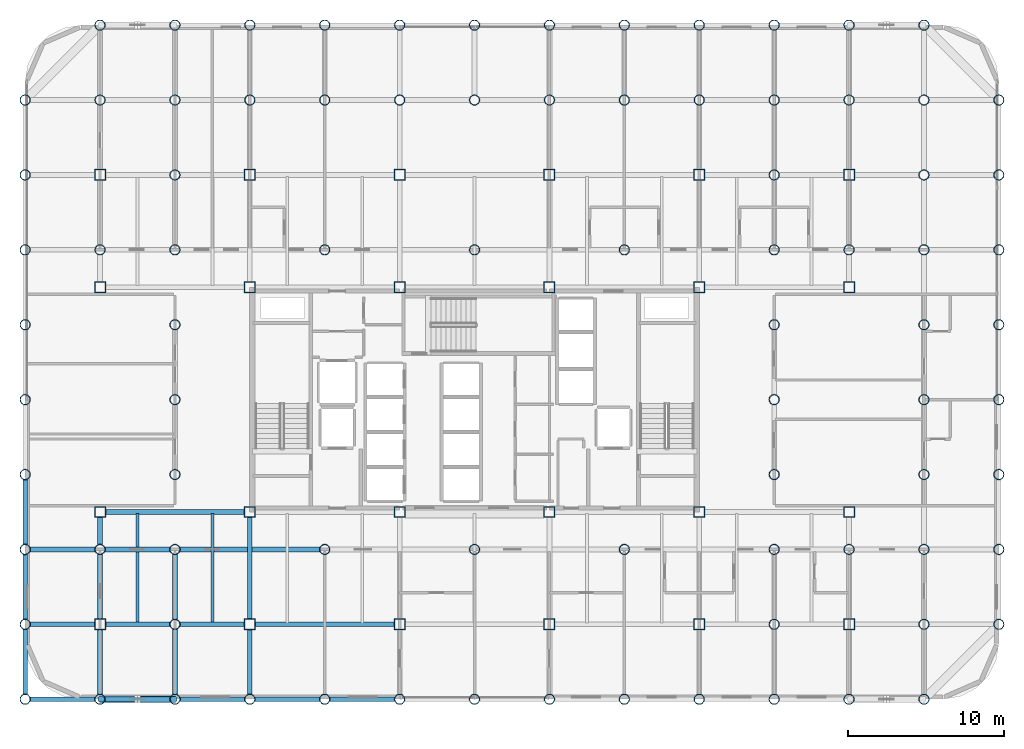
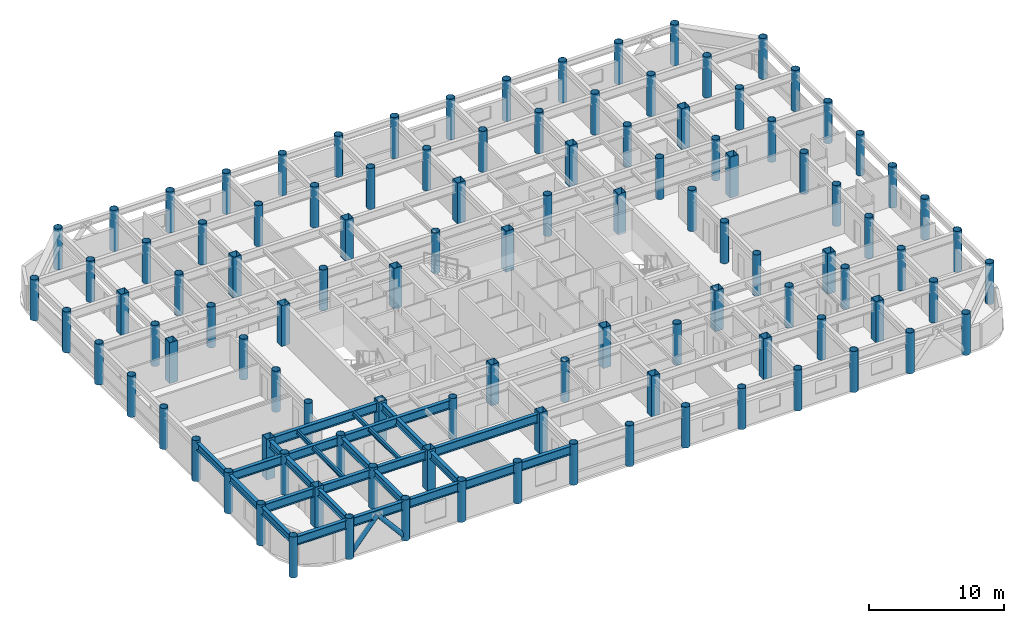
# One storey, part 1 of 22: 108 columns, 25 beams, 2 members.
"""IFC4 building model written with IfcOpenShell, lengths in metres."""

from ifc_helpers import new_model, si_unit, direction, frame, origin, origin_2d, place, context, subcontext, project, spatial, hollow_rectangle, hollow_circle, i_section, extrude, material, material_profile, profile_set, type_object, element, save


model = new_model("IFC4")

# Units and contexts
model_context = context("Model", 3, precision=1e-05, world=origin(), true_north=direction((0.0, 1.0)))
body_context = subcontext(model_context, "Body", "Model", "MODEL_VIEW")
ifc_project = project(units=[si_unit("LENGTHUNIT", "METRE"), si_unit("AREAUNIT", "SQUARE_METRE"), si_unit("VOLUMEUNIT", "CUBIC_METRE"), si_unit("PLANEANGLEUNIT", "RADIAN"), si_unit("MASSUNIT", "GRAM", prefix="KILO")], contexts=[model_context])

# Site, building, storey
site_placement = place(None, origin())
site = spatial("IfcSite", under=ifc_project, at=site_placement, CompositionType="ELEMENT")
building_placement = place(site_placement, origin())
building = spatial("IfcBuilding", under=site, at=building_placement, Name="Kallvorn Hotel Tower", CompositionType="ELEMENT")
storey_placement = place(building_placement, frame((0.0, 0.0, 117.39990234375)))
storey = spatial("IfcBuildingStorey", under=building, at=storey_placement, Name="L28", CompositionType="ELEMENT", Elevation=117.39990234375)

# Columns
ifc_material_1 = material(Name="Structural steel S355J2H", Category="steel")
ifc_material_profile_1 = material_profile(ifc_material_1, hollow_circle(Radius=0.330078125, WallThickness=0.028076171875, at=origin_2d()), Name="CHS 660x28")
ifc_profile_set_1 = profile_set([ifc_material_profile_1], Name="Structural steel S355J2H")
column_type_1 = type_object("IfcColumnType", Name="COL_CHS_660", PredefinedType="COLUMN", material=ifc_profile_set_1)
for number, where, z_axis, x_axis, name in (
    (1, (-28.800048828125, -19.199951171875, 0.0), (0.0, 0.0, 1.0), (1.0, 0.0, 0.0), "L28 Exoskeleton Column EC01"),
    (2, (-28.800048828125, -14.39990234375, 0.0), (0.0, 0.0, 1.0), (1.0, 0.0, 0.0), "L28 Exoskeleton Column EC02"),
    (3, (-28.800048828125, -9.60009765625, 0.0), (0.0, 0.0, 1.0), (1.0, 0.0, 0.0), "L28 Exoskeleton Column EC03"),
    (4, (-28.800048828125, -4.800048828125, 0.0), (0.0, 0.0, 1.0), (1.0, 0.0, 0.0), "L28 Exoskeleton Column EC04"),
    (5, (-28.800048828125, 0.0, 0.0), (0.0, 0.0, 1.0), (1.0, 0.0, 0.0), "L28 Exoskeleton Column EC05"),
    (6, (-28.800048828125, 4.800048828125, 0.0), (0.0, 0.0, 1.0), (1.0, 0.0, 0.0), "L28 Exoskeleton Column EC06"),
    (7, (-28.800048828125, 9.60009765625, 0.0), (0.0, 0.0, 1.0), (1.0, 0.0, 0.0), "L28 Exoskeleton Column EC07"),
    (8, (-28.800048828125, 14.39990234375, 0.0), (0.0, 0.0, 1.0), (1.0, 0.0, 0.0), "L28 Exoskeleton Column EC08"),
    (9, (-28.800048828125, 19.199951171875, 0.0), (0.0, 0.0, 1.0), (1.0, 0.0, 0.0), "L28 Exoskeleton Column EC09"),
    (10, (-24.0, -19.199951171875, 0.0), (0.0, 0.0, 1.0), (1.0, 0.0, 0.0), "L28 Exoskeleton Column EC10"),
    (11, (-24.0, -9.60009765625, 0.0), (0.0, 0.0, 1.0), (1.0, 0.0, 0.0), "L28 Exoskeleton Column EC11"),
    (12, (-24.0, 9.60009765625, 0.0), (0.0, 0.0, 1.0), (1.0, 0.0, 0.0), "L28 Exoskeleton Column EC12"),
    (13, (-24.0, 19.199951171875, 0.0), (0.0, 0.0, 1.0), (1.0, 0.0, 0.0), "L28 Exoskeleton Column EC13"),
    (14, (-24.0, 24.0, 0.0), (0.0, 0.0, 1.0), (1.0, 0.0, 0.0), "L28 Exoskeleton Column EC14"),
    (15, (-19.199951171875, -19.199951171875, 0.0), (0.0, 0.0, 1.0), (1.0, 0.0, 0.0), "L28 Exoskeleton Column EC15"),
    (16, (-19.199951171875, -14.39990234375, 0.0), (0.0, 0.0, 1.0), (1.0, 0.0, 0.0), "L28 Exoskeleton Column EC16"),
    (17, (-19.199951171875, -9.60009765625, 0.0), (0.0, 0.0, 1.0), (1.0, 0.0, 0.0), "L28 Exoskeleton Column EC17"),
    (18, (-19.199951171875, -4.800048828125, 0.0), (0.0, 0.0, 1.0), (1.0, 0.0, 0.0), "L28 Exoskeleton Column EC18"),
    (19, (-19.199951171875, 0.0, 0.0), (0.0, 0.0, 1.0), (1.0, 0.0, 0.0), "L28 Exoskeleton Column EC19"),
    (20, (-19.199951171875, 4.800048828125, 0.0), (0.0, 0.0, 1.0), (1.0, 0.0, 0.0), "L28 Exoskeleton Column EC20"),
    (21, (-19.199951171875, 9.60009765625, 0.0), (0.0, 0.0, 1.0), (1.0, 0.0, 0.0), "L28 Exoskeleton Column EC21"),
    (22, (-19.199951171875, 14.39990234375, 0.0), (0.0, 0.0, 1.0), (1.0, 0.0, 0.0), "L28 Exoskeleton Column EC22"),
    (23, (-19.199951171875, 19.199951171875, 0.0), (0.0, 0.0, 1.0), (1.0, 0.0, 0.0), "L28 Exoskeleton Column EC23"),
    (24, (-19.199951171875, 24.0, 0.0), (0.0, 0.0, 1.0), (1.0, 0.0, 0.0), "L28 Exoskeleton Column EC24"),
    (25, (-14.39990234375, -19.199951171875, 0.0), (0.0, 0.0, 1.0), (1.0, 0.0, 0.0), "L28 Exoskeleton Column EC25"),
    (26, (-14.39990234375, 19.199951171875, 0.0), (0.0, 0.0, 1.0), (1.0, 0.0, 0.0), "L28 Exoskeleton Column EC26"),
    (27, (-14.39990234375, 24.0, 0.0), (0.0, 0.0, 1.0), (1.0, 0.0, 0.0), "L28 Exoskeleton Column EC27"),
    (28, (-9.60009765625, -19.199951171875, 0.0), (0.0, 0.0, 1.0), (1.0, 0.0, 0.0), "L28 Exoskeleton Column EC28"),
    (29, (-9.60009765625, -9.60009765625, 0.0), (0.0, 0.0, 1.0), (1.0, 0.0, 0.0), "L28 Exoskeleton Column EC29"),
    (30, (-9.60009765625, 9.60009765625, 0.0), (0.0, 0.0, 1.0), (1.0, 0.0, 0.0), "L28 Exoskeleton Column EC30"),
    (31, (-9.60009765625, 19.199951171875, 0.0), (0.0, 0.0, 1.0), (1.0, 0.0, 0.0), "L28 Exoskeleton Column EC31"),
    (32, (-9.60009765625, 24.0, 0.0), (0.0, 0.0, 1.0), (1.0, 0.0, 0.0), "L28 Exoskeleton Column EC32"),
    (33, (-4.800048828125, -19.199951171875, 0.0), (0.0, 0.0, 1.0), (1.0, 0.0, 0.0), "L28 Exoskeleton Column EC33"),
    (34, (-4.800048828125, 19.199951171875, 0.0), (0.0, 0.0, 1.0), (1.0, 0.0, 0.0), "L28 Exoskeleton Column EC34"),
    (35, (-4.800048828125, 24.0, 0.0), (0.0, 0.0, 1.0), (1.0, 0.0, 0.0), "L28 Exoskeleton Column EC35"),
    (36, (0.0, -19.199951171875, 0.0), (0.0, 0.0, 1.0), (1.0, 0.0, 0.0), "L28 Exoskeleton Column EC36"),
    (37, (0.0, -9.60009765625, 0.0), (0.0, 0.0, 1.0), (1.0, 0.0, 0.0), "L28 Exoskeleton Column EC37"),
    (38, (0.0, 9.60009765625, 0.0), (0.0, 0.0, 1.0), (1.0, 0.0, 0.0), "L28 Exoskeleton Column EC38"),
    (39, (0.0, 19.199951171875, 0.0), (0.0, 0.0, 1.0), (1.0, 0.0, 0.0), "L28 Exoskeleton Column EC39"),
    (40, (0.0, 24.0, 0.0), (0.0, 0.0, 1.0), (1.0, 0.0, 0.0), "L28 Exoskeleton Column EC40"),
    (41, (4.800048828125, -19.199951171875, 0.0), (0.0, 0.0, 1.0), (1.0, 0.0, 0.0), "L28 Exoskeleton Column EC41"),
    (42, (4.800048828125, 19.199951171875, 0.0), (0.0, 0.0, 1.0), (1.0, 0.0, 0.0), "L28 Exoskeleton Column EC42"),
    (43, (4.800048828125, 24.0, 0.0), (0.0, 0.0, 1.0), (1.0, 0.0, 0.0), "L28 Exoskeleton Column EC43"),
    (44, (9.60009765625, -19.199951171875, 0.0), (0.0, 0.0, 1.0), (1.0, 0.0, 0.0), "L28 Exoskeleton Column EC44"),
    (45, (9.60009765625, -9.60009765625, 0.0), (0.0, 0.0, 1.0), (1.0, 0.0, 0.0), "L28 Exoskeleton Column EC45"),
    (46, (9.60009765625, 9.60009765625, 0.0), (0.0, 0.0, 1.0), (1.0, 0.0, 0.0), "L28 Exoskeleton Column EC46"),
    (47, (9.60009765625, 19.199951171875, 0.0), (0.0, 0.0, 1.0), (1.0, 0.0, 0.0), "L28 Exoskeleton Column EC47"),
    (48, (9.60009765625, 24.0, 0.0), (0.0, 0.0, 1.0), (1.0, 0.0, 0.0), "L28 Exoskeleton Column EC48"),
    (49, (14.39990234375, -19.199951171875, 0.0), (0.0, 0.0, 1.0), (1.0, 0.0, 0.0), "L28 Exoskeleton Column EC49"),
    (50, (14.39990234375, 19.199951171875, 0.0), (0.0, 0.0, 1.0), (1.0, 0.0, 0.0), "L28 Exoskeleton Column EC50"),
    (51, (14.39990234375, 24.0, 0.0), (0.0, 0.0, 1.0), (1.0, 0.0, 0.0), "L28 Exoskeleton Column EC51"),
    (52, (19.199951171875, -19.199951171875, 0.0), (0.0, 0.0, 1.0), (1.0, 0.0, 0.0), "L28 Exoskeleton Column EC52"),
    (53, (19.199951171875, -14.39990234375, 0.0), (0.0, 0.0, 1.0), (1.0, 0.0, 0.0), "L28 Exoskeleton Column EC53"),
    (54, (19.199951171875, -9.60009765625, 0.0), (0.0, 0.0, 1.0), (1.0, 0.0, 0.0), "L28 Exoskeleton Column EC54"),
    (55, (19.199951171875, -4.800048828125, 0.0), (0.0, 0.0, 1.0), (1.0, 0.0, 0.0), "L28 Exoskeleton Column EC55"),
    (56, (19.199951171875, 0.0, 0.0), (0.0, 0.0, 1.0), (1.0, 0.0, 0.0), "L28 Exoskeleton Column EC56"),
    (57, (19.199951171875, 4.800048828125, 0.0), (0.0, 0.0, 1.0), (1.0, 0.0, 0.0), "L28 Exoskeleton Column EC57"),
    (58, (19.199951171875, 9.60009765625, 0.0), (0.0, 0.0, 1.0), (1.0, 0.0, 0.0), "L28 Exoskeleton Column EC58"),
    (59, (19.199951171875, 14.39990234375, 0.0), (0.0, 0.0, 1.0), (1.0, 0.0, 0.0), "L28 Exoskeleton Column EC59"),
    (60, (19.199951171875, 19.199951171875, 0.0), (0.0, 0.0, 1.0), (1.0, 0.0, 0.0), "L28 Exoskeleton Column EC60"),
    (61, (19.199951171875, 24.0, 0.0), (0.0, 0.0, 1.0), (1.0, 0.0, 0.0), "L28 Exoskeleton Column EC61"),
    (62, (24.0, -19.199951171875, 0.0), (0.0, 0.0, 1.0), (1.0, 0.0, 0.0), "L28 Exoskeleton Column EC62"),
    (63, (24.0, -9.60009765625, 0.0), (0.0, 0.0, 1.0), (1.0, 0.0, 0.0), "L28 Exoskeleton Column EC63"),
    (64, (24.0, 9.60009765625, 0.0), (0.0, 0.0, 1.0), (1.0, 0.0, 0.0), "L28 Exoskeleton Column EC64"),
    (65, (24.0, 19.199951171875, 0.0), (0.0, 0.0, 1.0), (1.0, 0.0, 0.0), "L28 Exoskeleton Column EC65"),
    (66, (24.0, 24.0, 0.0), (0.0, 0.0, 1.0), (1.0, 0.0, 0.0), "L28 Exoskeleton Column EC66"),
    (67, (28.800048828125, -19.199951171875, 0.0), (0.0, 0.0, 1.0), (1.0, 0.0, 0.0), "L28 Exoskeleton Column EC67"),
    (68, (28.800048828125, -14.39990234375, 0.0), (0.0, 0.0, 1.0), (1.0, 0.0, 0.0), "L28 Exoskeleton Column EC68"),
    (69, (28.800048828125, -9.60009765625, 0.0), (0.0, 0.0, 1.0), (1.0, 0.0, 0.0), "L28 Exoskeleton Column EC69"),
    (70, (28.800048828125, -4.800048828125, 0.0), (0.0, 0.0, 1.0), (1.0, 0.0, 0.0), "L28 Exoskeleton Column EC70"),
    (71, (28.800048828125, 0.0, 0.0), (0.0, 0.0, 1.0), (1.0, 0.0, 0.0), "L28 Exoskeleton Column EC71"),
    (72, (28.800048828125, 4.800048828125, 0.0), (0.0, 0.0, 1.0), (1.0, 0.0, 0.0), "L28 Exoskeleton Column EC72"),
    (73, (28.800048828125, 9.60009765625, 0.0), (0.0, 0.0, 1.0), (1.0, 0.0, 0.0), "L28 Exoskeleton Column EC73"),
    (74, (28.800048828125, 14.39990234375, 0.0), (0.0, 0.0, 1.0), (1.0, 0.0, 0.0), "L28 Exoskeleton Column EC74"),
    (75, (28.800048828125, 19.199951171875, 0.0), (0.0, 0.0, 1.0), (1.0, 0.0, 0.0), "L28 Exoskeleton Column EC75"),
    (76, (28.800048828125, 24.0, 0.0), (0.0, 0.0, 1.0), (1.0, 0.0, 0.0), "L28 Exoskeleton Column EC76"),
    (77, (33.60009765625, -14.39990234375, 0.0), (0.0, 0.0, 1.0), (1.0, 0.0, 0.0), "L28 Exoskeleton Column EC77"),
    (78, (33.60009765625, -9.60009765625, 0.0), (0.0, 0.0, 1.0), (1.0, 0.0, 0.0), "L28 Exoskeleton Column EC78"),
    (79, (33.60009765625, -4.800048828125, 0.0), (0.0, 0.0, 1.0), (1.0, 0.0, 0.0), "L28 Exoskeleton Column EC79"),
    (80, (33.60009765625, 0.0, 0.0), (0.0, 0.0, 1.0), (1.0, 0.0, 0.0), "L28 Exoskeleton Column EC80"),
    (81, (33.60009765625, 4.800048828125, 0.0), (0.0, 0.0, 1.0), (1.0, 0.0, 0.0), "L28 Exoskeleton Column EC81"),
    (82, (33.60009765625, 9.60009765625, 0.0), (0.0, 0.0, 1.0), (1.0, 0.0, 0.0), "L28 Exoskeleton Column EC82"),
    (83, (33.60009765625, 14.39990234375, 0.0), (0.0, 0.0, 1.0), (1.0, 0.0, 0.0), "L28 Exoskeleton Column EC83"),
    (84, (33.60009765625, 19.199951171875, 0.0), (0.0, 0.0, 1.0), (1.0, 0.0, 0.0), "L28 Exoskeleton Column EC84"),
):
    element("IfcColumn", number, at=place(storey_placement, frame(where, z_axis=z_axis, x_axis=x_axis)), inside=storey, type_object=column_type_1, Name=name, PredefinedType="COLUMN", context=body_context, shape_type="SweptSolid", body=[
        extrude(hollow_circle(Radius=0.330078125, WallThickness=0.028076171875, at=origin_2d()), origin(), (0.0, 0.0, 1.0), 3.7001953125),
    ])
ifc_material_2 = material(Name="Structural steel S355J2H", Category="steel")
ifc_material_profile_2 = material_profile(ifc_material_2, hollow_rectangle(XDim=0.699951171875, YDim=0.699951171875, WallThickness=0.031982421875, at=origin_2d()), Name="RHS 700x700x32")
ifc_profile_set_2 = profile_set([ifc_material_profile_2], Name="Structural steel S355J2H")
column_type_2 = type_object("IfcColumnType", Name="COL_RHS_700", PredefinedType="COLUMN", material=ifc_profile_set_2)
for number, where, z_axis, x_axis, name in (
    (85, (-24.0, -14.39990234375, 0.0), (0.0, 0.0, 1.0), (1.0, 0.0, 0.0), "L28 Inner Column IC01"),
    (86, (-24.0, -7.199951171875, 0.0), (0.0, 0.0, 1.0), (1.0, 0.0, 0.0), "L28 Inner Column IC02"),
    (87, (-24.0, 7.199951171875, 0.0), (0.0, 0.0, 1.0), (1.0, 0.0, 0.0), "L28 Inner Column IC03"),
    (88, (-24.0, 14.39990234375, 0.0), (0.0, 0.0, 1.0), (1.0, 0.0, 0.0), "L28 Inner Column IC04"),
    (89, (-14.39990234375, -14.39990234375, 0.0), (0.0, 0.0, 1.0), (1.0, 0.0, 0.0), "L28 Inner Column IC05"),
    (90, (-14.39990234375, -7.199951171875, 0.0), (0.0, 0.0, 1.0), (1.0, 0.0, 0.0), "L28 Inner Column IC06"),
    (91, (-14.39990234375, 7.199951171875, 0.0), (0.0, 0.0, 1.0), (1.0, 0.0, 0.0), "L28 Inner Column IC07"),
    (92, (-14.39990234375, 14.39990234375, 0.0), (0.0, 0.0, 1.0), (1.0, 0.0, 0.0), "L28 Inner Column IC08"),
    (93, (-4.800048828125, -14.39990234375, 0.0), (0.0, 0.0, 1.0), (1.0, 0.0, 0.0), "L28 Inner Column IC09"),
    (94, (-4.800048828125, -7.199951171875, 0.0), (0.0, 0.0, 1.0), (1.0, 0.0, 0.0), "L28 Inner Column IC10"),
    (95, (-4.800048828125, 7.199951171875, 0.0), (0.0, 0.0, 1.0), (1.0, 0.0, 0.0), "L28 Inner Column IC11"),
    (96, (-4.800048828125, 14.39990234375, 0.0), (0.0, 0.0, 1.0), (1.0, 0.0, 0.0), "L28 Inner Column IC12"),
    (97, (4.800048828125, -14.39990234375, 0.0), (0.0, 0.0, 1.0), (1.0, 0.0, 0.0), "L28 Inner Column IC13"),
    (98, (4.800048828125, -7.199951171875, 0.0), (0.0, 0.0, 1.0), (1.0, 0.0, 0.0), "L28 Inner Column IC14"),
    (99, (4.800048828125, 7.199951171875, 0.0), (0.0, 0.0, 1.0), (1.0, 0.0, 0.0), "L28 Inner Column IC15"),
    (100, (4.800048828125, 14.39990234375, 0.0), (0.0, 0.0, 1.0), (1.0, 0.0, 0.0), "L28 Inner Column IC16"),
    (101, (14.39990234375, -14.39990234375, 0.0), (0.0, 0.0, 1.0), (1.0, 0.0, 0.0), "L28 Inner Column IC17"),
    (102, (14.39990234375, -7.199951171875, 0.0), (0.0, 0.0, 1.0), (1.0, 0.0, 0.0), "L28 Inner Column IC18"),
    (103, (14.39990234375, 7.199951171875, 0.0), (0.0, 0.0, 1.0), (1.0, 0.0, 0.0), "L28 Inner Column IC19"),
    (104, (14.39990234375, 14.39990234375, 0.0), (0.0, 0.0, 1.0), (1.0, 0.0, 0.0), "L28 Inner Column IC20"),
    (105, (24.0, -14.39990234375, 0.0), (0.0, 0.0, 1.0), (1.0, 0.0, 0.0), "L28 Inner Column IC21"),
    (106, (24.0, -7.199951171875, 0.0), (0.0, 0.0, 1.0), (1.0, 0.0, 0.0), "L28 Inner Column IC22"),
    (107, (24.0, 7.199951171875, 0.0), (0.0, 0.0, 1.0), (1.0, 0.0, 0.0), "L28 Inner Column IC23"),
    (108, (24.0, 14.39990234375, 0.0), (0.0, 0.0, 1.0), (1.0, 0.0, 0.0), "L28 Inner Column IC24"),
):
    element("IfcColumn", number, at=place(storey_placement, frame(where, z_axis=z_axis, x_axis=x_axis)), inside=storey, type_object=column_type_2, Name=name, PredefinedType="COLUMN", context=body_context, shape_type="SweptSolid", body=[
        extrude(hollow_rectangle(XDim=0.699951171875, YDim=0.699951171875, WallThickness=0.031982421875, at=origin_2d()), origin(), (0.0, 0.0, 1.0), 3.7001953125),
    ])

# Beams
ifc_material_3 = material(Name="Structural steel S355JR", Category="steel")
ifc_material_profile_3 = material_profile(ifc_material_3, i_section(OverallWidth=0.300048828125, OverallDepth=0.64990234375, WebThickness=0.01611328125, FlangeThickness=0.031005859375, at=origin_2d()), Name="HE 650 B")
ifc_profile_set_3 = profile_set([ifc_material_profile_3], Name="Structural steel S355JR")
beam_type_1 = type_object("IfcBeamType", Name="BM_HE650B", PredefinedType="BEAM", material=ifc_profile_set_3)
for number, where, z_axis, x_axis, name in (
    (109, (-28.800048828125, -18.89501953125, 3.195068359375), (0.0, 1.0, 0.0), (-1.0, 0.0, 0.0), "L29 Primary Y-Girder 73"),
    (110, (-28.800048828125, -14.094970703125, 3.195068359375), (0.0, 1.0, 0.0), (-1.0, 0.0, 0.0), "L29 Primary Y-Girder 74"),
    (111, (-28.800048828125, -9.294921875, 3.195068359375), (0.0, 1.0, 0.0), (-1.0, 0.0, 0.0), "L29 Primary Y-Girder 75"),
):
    element("IfcBeam", number, at=place(storey_placement, frame(where, z_axis=z_axis, x_axis=x_axis)), inside=storey, type_object=beam_type_1, Name=name, PredefinedType="BEAM", context=body_context, shape_type="SweptSolid", body=[
        extrude(i_section(OverallWidth=0.300048828125, OverallDepth=0.64990234375, WebThickness=0.01611328125, FlangeThickness=0.031005859375, at=origin_2d()), origin(), (0.0, 0.0, 1.0), 4.18994140625),
    ])
for number, where, z_axis, x_axis, name in (
    (112, (-24.0, -18.89501953125, 3.195068359375), (0.0, 1.0, 0.0), (-1.0, 0.0, 0.0), "L29 Primary Y-Girder 81"),
    (113, (-24.0, -14.074951171875, 3.195068359375), (0.0, 1.0, 0.0), (-1.0, 0.0, 0.0), "L29 Primary Y-Girder 82"),
):
    element("IfcBeam", number, at=place(storey_placement, frame(where, z_axis=z_axis, x_axis=x_axis)), inside=storey, type_object=beam_type_1, Name=name, PredefinedType="BEAM", context=body_context, shape_type="SweptSolid", body=[
        extrude(i_section(OverallWidth=0.300048828125, OverallDepth=0.64990234375, WebThickness=0.01611328125, FlangeThickness=0.031005859375, at=origin_2d()), origin(), (0.0, 0.0, 1.0), 4.169921875),
    ])
beam_1_placement = place(storey_placement, frame((-24.0, -9.294921875, 3.195068359375), z_axis=(0.0, 1.0, 0.0), x_axis=(-1.0, 0.0, 0.0)))
element("IfcBeam", 114, at=beam_1_placement, inside=storey, type_object=beam_type_1, Name="L29 Primary Y-Girder 83", PredefinedType="BEAM", context=body_context, shape_type="SweptSolid", body=[
    extrude(i_section(OverallWidth=0.300048828125, OverallDepth=0.64990234375, WebThickness=0.01611328125, FlangeThickness=0.031005859375, at=origin_2d()), origin(), (0.0, 0.0, 1.0), 1.77001953125),
])
for number, where, z_axis, x_axis, name in (
    (115, (-19.199951171875, -18.89501953125, 3.195068359375), (0.0, 1.0, 0.0), (-1.0, 0.0, 0.0), "L29 Primary Y-Girder 88"),
    (116, (-19.199951171875, -14.094970703125, 3.195068359375), (0.0, 1.0, 0.0), (-1.0, 0.0, 0.0), "L29 Primary Y-Girder 89"),
):
    element("IfcBeam", number, at=place(storey_placement, frame(where, z_axis=z_axis, x_axis=x_axis)), inside=storey, type_object=beam_type_1, Name=name, PredefinedType="BEAM", context=body_context, shape_type="SweptSolid", body=[
        extrude(i_section(OverallWidth=0.300048828125, OverallDepth=0.64990234375, WebThickness=0.01611328125, FlangeThickness=0.031005859375, at=origin_2d()), origin(), (0.0, 0.0, 1.0), 4.18994140625),
    ])
beam_2_placement = place(storey_placement, frame((-14.39990234375, -18.89501953125, 3.195068359375), z_axis=(0.0, 1.0, 0.0), x_axis=(-1.0, 0.0, 0.0)))
element("IfcBeam", 117, at=beam_2_placement, inside=storey, type_object=beam_type_1, Name="L29 Primary Y-Girder 97", PredefinedType="BEAM", context=body_context, shape_type="SweptSolid", body=[
    extrude(i_section(OverallWidth=0.300048828125, OverallDepth=0.64990234375, WebThickness=0.01611328125, FlangeThickness=0.031005859375, at=origin_2d()), origin(), (0.0, 0.0, 1.0), 4.169921875),
])
beam_3_placement = place(storey_placement, frame((-14.39990234375, -14.074951171875, 3.195068359375), z_axis=(0.0, 1.0, 0.0), x_axis=(-1.0, 0.0, 0.0)))
element("IfcBeam", 118, at=beam_3_placement, inside=storey, type_object=beam_type_1, Name="L29 Primary Y-Girder 98", PredefinedType="BEAM", context=body_context, shape_type="SweptSolid", body=[
    extrude(i_section(OverallWidth=0.300048828125, OverallDepth=0.64990234375, WebThickness=0.01611328125, FlangeThickness=0.031005859375, at=origin_2d()), origin(), (0.0, 0.0, 1.0), 6.550048828125),
])
ifc_material_4 = material(Name="Structural steel S355JR", Category="steel")
ifc_material_profile_4 = material_profile(ifc_material_4, i_section(OverallWidth=0.300048828125, OverallDepth=0.800048828125, WebThickness=0.017578125, FlangeThickness=0.032958984375, at=origin_2d()), Name="HE 800 B")
ifc_profile_set_4 = profile_set([ifc_material_profile_4], Name="Structural steel S355JR")
beam_type_2 = type_object("IfcBeamType", Name="BM_HE800B", PredefinedType="BEAM", material=ifc_profile_set_4)
for number, where, z_axis, x_axis, name in (
    (119, (-28.4951171875, -19.199951171875, 3.1201171875), (1.0, 0.0, 0.0), (0.0, 1.0, 0.0), "L29 Primary X-Girder 01"),
    (120, (-23.695068359375, -19.199951171875, 3.1201171875), (1.0, 0.0, 0.0), (0.0, 1.0, 0.0), "L29 Primary X-Girder 02"),
):
    element("IfcBeam", number, at=place(storey_placement, frame(where, z_axis=z_axis, x_axis=x_axis)), inside=storey, type_object=beam_type_2, Name=name, PredefinedType="BEAM", context=body_context, shape_type="SweptSolid", body=[
        extrude(i_section(OverallWidth=0.300048828125, OverallDepth=0.800048828125, WebThickness=0.017578125, FlangeThickness=0.032958984375, at=origin_2d()), origin(), (0.0, 0.0, 1.0), 4.190185546875),
    ])
for number, where, z_axis, x_axis, name in (
    (121, (-18.89501953125, -19.199951171875, 3.1201171875), (1.0, 0.0, 0.0), (0.0, 1.0, 0.0), "L29 Primary X-Girder 03"),
    (122, (-14.094970703125, -19.199951171875, 3.1201171875), (1.0, 0.0, 0.0), (0.0, 1.0, 0.0), "L29 Primary X-Girder 04"),
    (123, (-9.294921875, -19.199951171875, 3.1201171875), (1.0, 0.0, 0.0), (0.0, 1.0, 0.0), "L29 Primary X-Girder 05"),
):
    element("IfcBeam", number, at=place(storey_placement, frame(where, z_axis=z_axis, x_axis=x_axis)), inside=storey, type_object=beam_type_2, Name=name, PredefinedType="BEAM", context=body_context, shape_type="SweptSolid", body=[
        extrude(i_section(OverallWidth=0.300048828125, OverallDepth=0.800048828125, WebThickness=0.017578125, FlangeThickness=0.032958984375, at=origin_2d()), origin(), (0.0, 0.0, 1.0), 4.18994140625),
    ])
for number, where, z_axis, x_axis, name in (
    (124, (-28.4951171875, -14.39990234375, 3.1201171875), (1.0, 0.0, 0.0), (0.0, 1.0, 0.0), "L29 Primary X-Girder 13"),
    (125, (-23.675048828125, -14.39990234375, 3.1201171875), (1.0, 0.0, 0.0), (0.0, 1.0, 0.0), "L29 Primary X-Girder 14"),
):
    element("IfcBeam", number, at=place(storey_placement, frame(where, z_axis=z_axis, x_axis=x_axis)), inside=storey, type_object=beam_type_2, Name=name, PredefinedType="BEAM", context=body_context, shape_type="SweptSolid", body=[
        extrude(i_section(OverallWidth=0.300048828125, OverallDepth=0.800048828125, WebThickness=0.017578125, FlangeThickness=0.032958984375, at=origin_2d()), origin(), (0.0, 0.0, 1.0), 4.170166015625),
    ])
beam_4_placement = place(storey_placement, frame((-18.89501953125, -14.39990234375, 3.1201171875), z_axis=(1.0, 0.0, 0.0), x_axis=(0.0, 1.0, 0.0)))
element("IfcBeam", 126, at=beam_4_placement, inside=storey, type_object=beam_type_2, Name="L29 Primary X-Girder 15", PredefinedType="BEAM", context=body_context, shape_type="SweptSolid", body=[
    extrude(i_section(OverallWidth=0.300048828125, OverallDepth=0.800048828125, WebThickness=0.017578125, FlangeThickness=0.032958984375, at=origin_2d()), origin(), (0.0, 0.0, 1.0), 4.169921875),
])
beam_5_placement = place(storey_placement, frame((-14.074951171875, -14.39990234375, 3.1201171875), z_axis=(1.0, 0.0, 0.0), x_axis=(0.0, 1.0, 0.0)))
element("IfcBeam", 127, at=beam_5_placement, inside=storey, type_object=beam_type_2, Name="L29 Primary X-Girder 16", PredefinedType="BEAM", context=body_context, shape_type="SweptSolid", body=[
    extrude(i_section(OverallWidth=0.300048828125, OverallDepth=0.800048828125, WebThickness=0.017578125, FlangeThickness=0.032958984375, at=origin_2d()), origin(), (0.0, 0.0, 1.0), 8.949951171875),
])
for number, where, z_axis, x_axis, name in (
    (128, (-28.4951171875, -9.60009765625, 3.1201171875), (1.0, 0.0, 0.0), (0.0, 1.0, 0.0), "L29 Primary X-Girder 23"),
    (129, (-23.695068359375, -9.60009765625, 3.1201171875), (1.0, 0.0, 0.0), (0.0, 1.0, 0.0), "L29 Primary X-Girder 24"),
):
    element("IfcBeam", number, at=place(storey_placement, frame(where, z_axis=z_axis, x_axis=x_axis)), inside=storey, type_object=beam_type_2, Name=name, PredefinedType="BEAM", context=body_context, shape_type="SweptSolid", body=[
        extrude(i_section(OverallWidth=0.300048828125, OverallDepth=0.800048828125, WebThickness=0.017578125, FlangeThickness=0.032958984375, at=origin_2d()), origin(), (0.0, 0.0, 1.0), 4.190185546875),
    ])
beam_6_placement = place(storey_placement, frame((-18.89501953125, -9.60009765625, 3.1201171875), z_axis=(1.0, 0.0, 0.0), x_axis=(0.0, 1.0, 0.0)))
element("IfcBeam", 130, at=beam_6_placement, inside=storey, type_object=beam_type_2, Name="L29 Primary X-Girder 25", PredefinedType="BEAM", context=body_context, shape_type="SweptSolid", body=[
    extrude(i_section(OverallWidth=0.300048828125, OverallDepth=0.800048828125, WebThickness=0.017578125, FlangeThickness=0.032958984375, at=origin_2d()), origin(), (0.0, 0.0, 1.0), 8.989990234375),
])
beam_7_placement = place(storey_placement, frame((-23.675048828125, -7.199951171875, 3.1201171875), z_axis=(1.0, 0.0, 0.0), x_axis=(0.0, 1.0, 0.0)))
element("IfcBeam", 131, at=beam_7_placement, inside=storey, type_object=beam_type_2, Name="L29 Primary X-Girder 32", PredefinedType="BEAM", context=body_context, shape_type="SweptSolid", body=[
    extrude(i_section(OverallWidth=0.300048828125, OverallDepth=0.800048828125, WebThickness=0.017578125, FlangeThickness=0.032958984375, at=origin_2d()), origin(), (0.0, 0.0, 1.0), 8.949951171875),
])
ifc_material_5 = material(Name="Structural steel S355JR", Category="steel")
ifc_material_profile_5 = material_profile(ifc_material_5, i_section(OverallWidth=0.179931640625, OverallDepth=0.39990234375, WebThickness=0.008544921875, FlangeThickness=0.013427734375, at=origin_2d()), Name="IPE 400")
ifc_profile_set_5 = profile_set([ifc_material_profile_5], Name="Structural steel S355JR")
beam_type_3 = type_object("IfcBeamType", Name="BM_IPE400", PredefinedType="JOIST", material=ifc_profile_set_5)
for number, where, z_axis, x_axis, name in (
    (132, (-21.60009765625, -14.300048828125, 3.320068359375), (0.0, 1.0, 0.0), (-1.0, 0.0, 0.0), "L29 Secondary Composite Joist 192"),
    (133, (-16.800048828125, -14.300048828125, 3.320068359375), (0.0, 1.0, 0.0), (-1.0, 0.0, 0.0), "L29 Secondary Composite Joist 194"),
):
    element("IfcBeam", number, at=place(storey_placement, frame(where, z_axis=z_axis, x_axis=x_axis)), inside=storey, type_object=beam_type_3, Name=name, PredefinedType="JOIST", context=body_context, shape_type="SweptSolid", body=[
        extrude(i_section(OverallWidth=0.179931640625, OverallDepth=0.39990234375, WebThickness=0.008544921875, FlangeThickness=0.013427734375, at=origin_2d()), origin(), (0.0, 0.0, 1.0), 7.0),
    ])

# Members
ifc_material_6 = material(Name="Structural steel S355J2H", Category="steel")
ifc_material_profile_6 = material_profile(ifc_material_6, hollow_circle(Radius=0.203125, WallThickness=0.01611328125, at=origin_2d()), Name="CHS 406.4x16")
ifc_profile_set_6 = profile_set([ifc_material_profile_6], Name="Structural steel S355J2H")
member_type = type_object("IfcMemberType", Name="MBR_EXO_CHS406", PredefinedType="BRACE", material=ifc_profile_set_6)
for number, where, z_axis, x_axis, name in (
    (134, (-23.987060546875, -19.199951171875, 0.1953125), (0.646800487591, 0.0, 0.762659248453), (0.0, 1.0, 0.0), "L28 Exoskeleton K-Brace S1A"),
    (135, (-19.212890625, -19.199951171875, 0.1953125), (-0.646800487591, 0.0, 0.762659248453), (0.0, -1.0, 0.0), "L28 Exoskeleton K-Brace S1B"),
):
    element("IfcMember", number, at=place(storey_placement, frame(where, z_axis=z_axis, x_axis=x_axis)), inside=storey, type_object=member_type, Name=name, PredefinedType="BRACE", context=body_context, shape_type="SweptSolid", body=[
        extrude(hollow_circle(Radius=0.203125, WallThickness=0.01611328125, at=origin_2d()), origin(), (0.0, 0.0, 1.0), 3.6708984375),
    ])

save(model, "model.ifc")
